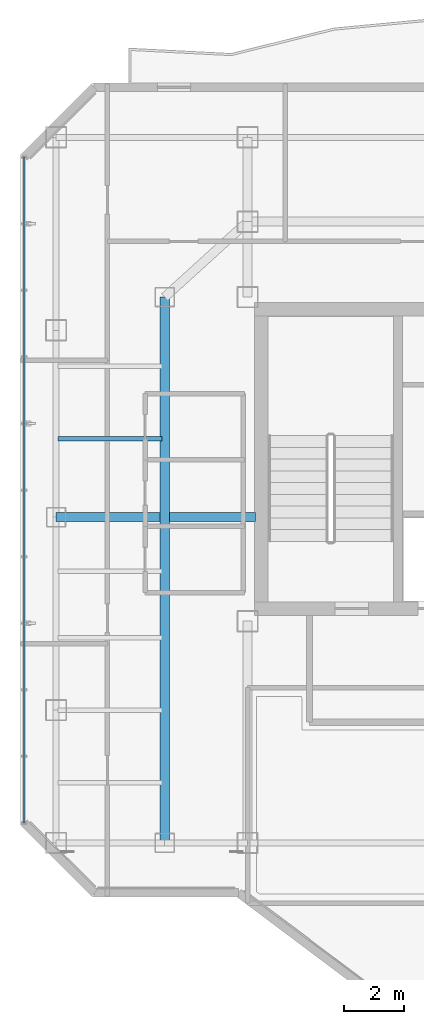
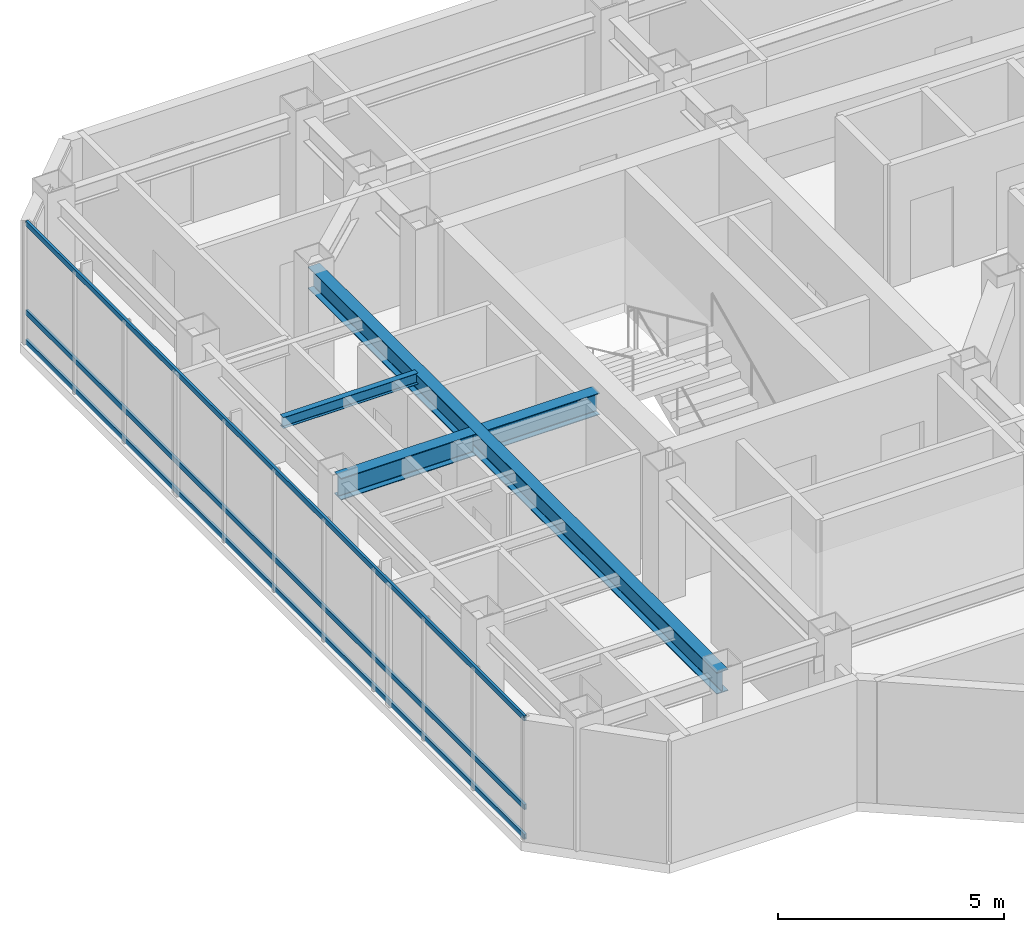
# One storey, part 7 of 25: 4 beams, 3 members, 1 element without a shape of its own.
"""IFC4 building model written with IfcOpenShell, lengths in metres."""

import ifcopenshell
import ifcopenshell.guid

model = None  # the IFC model being written
_history = None  # IfcOwnerHistory: only IFC2X3 demands one
_inside = {}  # id of a spatial element -> (the spatial element, [elements in it])
_under = {}  # id of a project, library or spatial element -> (it, [spatial elements below it])
_declared = {}  # id of a project -> (the project, [libraries it declares])
_typed = {}  # id of a type object -> (the type object, [elements of that type])
_made_of = {}  # id of a material, layer set ... -> (it, [elements and type objects made of it])


def new_model(schema):
    """Start an empty IFC model of exactly this schema.

    Asked for "IFC4X3", IfcOpenShell would pick the latest addendum, in which some entities
    have other attributes; the version numbers below select the first issue.
    IFC2X3 requires an IfcOwnerHistory on every rooted entity: one is made here for all.
    """
    global model, _history
    if schema == "IFC4X3":
        model = ifcopenshell.file(schema_version=(4, 3, 0, 0))
    else:
        model = ifcopenshell.file(schema=schema)
    _inside.clear()
    _under.clear()
    _declared.clear()
    _typed.clear()
    _made_of.clear()
    _history = None
    if model.schema == "IFC2X3":
        org = make("IfcOrganization", Name="unknown")
        user = make(
            "IfcPersonAndOrganization",
            ThePerson=make("IfcPerson", FamilyName="unknown"),
            TheOrganization=org,
        )
        app = make(
            "IfcApplication",
            ApplicationDeveloper=org,
            Version="unknown",
            ApplicationFullName="unknown",
            ApplicationIdentifier="unknown",
        )
        _history = make(
            "IfcOwnerHistory",
            OwningUser=user,
            OwningApplication=app,
            ChangeAction="ADDED",
            CreationDate=0,
        )
    return model


def make(cls, **values):
    """One entity of the class cls with the attributes given. An attribute that is None is left unset."""
    return model.create_entity(
        cls, **{name: value for name, value in values.items() if value is not None}
    )


def rooted(cls, **values):
    """An entity with a GlobalId (a new one), such as an element, a storey or a relation."""
    return make(cls, GlobalId=ifcopenshell.guid.new(), OwnerHistory=_history, **values)


def si_unit(unit_type, name, prefix=None):
    """IfcSIUnit, for example si_unit("LENGTHUNIT", "METRE", prefix="MILLI")."""
    return make("IfcSIUnit", UnitType=unit_type, Prefix=prefix, Name=name)


def assignment(units):
    """IfcUnitAssignment: the units of a project."""
    return None if units is None else make("IfcUnitAssignment", Units=units)


def point(xyz):
    """IfcCartesianPoint."""
    return None if xyz is None else make("IfcCartesianPoint", Coordinates=xyz)


def direction(xyz):
    """IfcDirection."""
    return None if xyz is None else make("IfcDirection", DirectionRatios=xyz)


def frame(location, z_axis=None, x_axis=None):
    """IfcAxis2Placement3D, a coordinate frame: its origin and axes. An axis left out is left unset."""
    return make(
        "IfcAxis2Placement3D",
        Location=point(location),
        Axis=direction(z_axis),
        RefDirection=direction(x_axis),
    )


def frame_2d(location, x_axis=None):
    """IfcAxis2Placement2D, a coordinate frame in the plane: its origin and x axis."""
    return make(
        "IfcAxis2Placement2D", Location=point(location), RefDirection=direction(x_axis)
    )


def origin():
    """The frame at (0, 0, 0) with its axes left unset."""
    return frame((0.0, 0.0, 0.0))


def origin_2d():
    """The frame at (0, 0) in the plane with its x axis left unset."""
    return frame_2d((0.0, 0.0))


def place(relative_to, where):
    """IfcLocalPlacement: puts the frame where relative to a parent placement (None: the world)."""
    return make(
        "IfcLocalPlacement", PlacementRelTo=relative_to, RelativePlacement=where
    )


def context(
    kind, dimensions, precision=None, world=None, true_north=None, identifier=None
):
    """IfcGeometricRepresentationContext, for example the 3D "Model" context."""
    return make(
        "IfcGeometricRepresentationContext",
        ContextIdentifier=identifier,
        ContextType=kind,
        CoordinateSpaceDimension=dimensions,
        Precision=precision,
        WorldCoordinateSystem=world,
        TrueNorth=true_north,
    )


def subcontext(parent, identifier, kind, view, scale=None):
    """IfcGeometricRepresentationSubContext, for example "Body" below "Model"."""
    return make(
        "IfcGeometricRepresentationSubContext",
        ContextIdentifier=identifier,
        ContextType=kind,
        ParentContext=parent,
        TargetScale=scale,
        TargetView=view,
    )


def project(units=None, contexts=None):
    """IfcProject with its units and contexts."""
    return rooted(
        "IfcProject",
        Name="project",
        RepresentationContexts=contexts,
        UnitsInContext=assignment(units),
    )


def spatial(cls, under=None, at=None, **own):
    """A site, building, storey or space (cls), placed at a placement, below another one or the project."""
    s = rooted(cls, ObjectPlacement=at, **own)
    if under is not None:
        _under.setdefault(under.id(), (under, []))[1].append(s)
    return s


def profile(cls, at=None, kind="AREA", **sizes):
    """A parametric profile (cls). Its sizes go by their IFC names, for example OverallWidth=200.0."""
    return make(cls, ProfileType=kind, Position=at, **sizes)


def hollow_rectangle(**sizes):
    """IfcRectangleHollowProfileDef."""
    return profile("IfcRectangleHollowProfileDef", **sizes)


def i_section(**sizes):
    """IfcIShapeProfileDef."""
    return profile("IfcIShapeProfileDef", **sizes)


def extrude(swept, where, along, depth):
    """IfcExtrudedAreaSolid: the profile swept, set in the frame where, extruded along a direction by depth."""
    return make(
        "IfcExtrudedAreaSolid",
        SweptArea=swept,
        Position=where,
        ExtrudedDirection=direction(along),
        Depth=depth,
    )


def shape(context_of_items, identifier, shape_type, items):
    """IfcShapeRepresentation: the items that make up one representation, for example the "Body"."""
    return make(
        "IfcShapeRepresentation",
        ContextOfItems=context_of_items,
        RepresentationIdentifier=identifier,
        RepresentationType=shape_type,
        Items=items,
    )


def material(Name=None, Category=None):
    """IfcMaterial."""
    return make("IfcMaterial", Name=Name, Category=Category)


def layer(
    of_material, thickness, ventilated=None, Name=None, Category=None, Priority=None
):
    """IfcMaterialLayer: one layer of a wall or slab, of a material (None: an air gap)."""
    return make(
        "IfcMaterialLayer",
        Material=of_material,
        LayerThickness=thickness,
        IsVentilated=ventilated,
        Name=Name,
        Category=Category,
        Priority=Priority,
    )


def layer_set(layers, Name=None):
    """IfcMaterialLayerSet."""
    return make("IfcMaterialLayerSet", MaterialLayers=layers, LayerSetName=Name)


def material_profile(
    of_material, cross_section, Name=None, Category=None, Priority=None
):
    """IfcMaterialProfile: a cross section and its material."""
    return make(
        "IfcMaterialProfile",
        Name=Name,
        Material=of_material,
        Profile=cross_section,
        Priority=Priority,
        Category=Category,
    )


def profile_set(profiles, Name=None, composite=None):
    """IfcMaterialProfileSet."""
    return make(
        "IfcMaterialProfileSet",
        Name=Name,
        MaterialProfiles=profiles,
        CompositeProfile=composite,
    )


def made_of(thing, what):
    """Note that an element or type object is made of a material, layer set ...; save() writes the relation."""
    if what is not None:
        _made_of.setdefault(what.id(), (what, []))[1].append(thing)
    return thing


def type_object(cls, material=None, **own):
    """A type object (cls), such as IfcWallType, which elements share."""
    return made_of(rooted(cls, **own), material)


def element(
    cls,
    number,
    at=None,
    inside=None,
    cuts=None,
    type_object=None,
    material=None,
    context=None,
    identifier="Body",
    shape_type=None,
    held_by="IfcProductDefinitionShape",
    body=None,
    shapes=None,
    **own,
):
    """One element of the class cls, such as IfcWall. Its Tag is "e" and its number.

    at: its placement. inside: the storey or other place that contains it. cuts: it is an
    opening in that element (IfcRelVoidsElement). A single representation is given by context,
    identifier, shape_type and body (its items); several are given by shapes. held_by: the class
    of the entity that holds the representations. save() writes the other relations.
    """
    e = rooted(cls, Tag="e%d" % number, ObjectPlacement=at, **own)
    if body is not None:
        shapes = [shape(context, identifier, shape_type, body)]
    if shapes is not None:
        e.Representation = make(held_by, Representations=shapes)
    if inside is not None:
        _inside.setdefault(inside.id(), (inside, []))[1].append(e)
    if cuts is not None:
        rooted(
            "IfcRelVoidsElement", RelatingBuildingElement=cuts, RelatedOpeningElement=e
        )
    if type_object is not None:
        _typed.setdefault(type_object.id(), (type_object, []))[1].append(e)
    return made_of(e, material)


def aggregate(whole, parts):
    """IfcRelAggregates: a whole, such as a stair, and the parts it consists of."""
    return rooted("IfcRelAggregates", RelatingObject=whole, RelatedObjects=parts)


def save(model, path):
    """Write the relations noted so far, then the file.

    IfcRelAggregates (storeys below a building ...), IfcRelContainedInSpatialStructure (elements
    in a storey), IfcRelDefinesByType, IfcRelAssociatesMaterial and IfcRelDeclares: one each for
    every whole, place, type object, material and project.
    """
    for whole, parts in _under.values():
        aggregate(whole, parts)
    for where, things in _inside.values():
        rooted(
            "IfcRelContainedInSpatialStructure",
            RelatedElements=things,
            RelatingStructure=where,
        )
    for kind, things in _typed.values():
        rooted("IfcRelDefinesByType", RelatedObjects=things, RelatingType=kind)
    for what, things in _made_of.values():
        rooted("IfcRelAssociatesMaterial", RelatedObjects=things, RelatingMaterial=what)
    for by, libraries in _declared.values():
        rooted("IfcRelDeclares", RelatingContext=by, RelatedDefinitions=libraries)
    model.write(path)


model = new_model("IFC4")

# Units and contexts
model_context = context("Model", 3, precision=1e-05, world=origin(), true_north=direction((0.0, 1.0)))
body_context = subcontext(model_context, "Body", "Model", "MODEL_VIEW")
ifc_project = project(units=[si_unit("LENGTHUNIT", "METRE"), si_unit("AREAUNIT", "SQUARE_METRE"), si_unit("VOLUMEUNIT", "CUBIC_METRE"), si_unit("PLANEANGLEUNIT", "RADIAN"), si_unit("MASSUNIT", "GRAM", prefix="KILO")], contexts=[model_context])

# Site, building, storey
site_placement = place(None, origin())
site = spatial("IfcSite", under=ifc_project, at=site_placement, CompositionType="ELEMENT")
building_placement = place(site_placement, origin())
building = spatial("IfcBuilding", under=site, at=building_placement, Name="Hatsunagi Terrace Concourse", CompositionType="ELEMENT")
storey_placement = place(building_placement, frame((0.0, 0.0, 231.14990234375)))
storey = spatial("IfcBuildingStorey", under=building, at=storey_placement, Name="L61", CompositionType="ELEMENT", Elevation=231.14990234375)

# Curtain wall, members
ifc_material_1 = material(Name="Anodised Aluminium Alloy 6063-T5", Category="aluminium")
ifc_layer = layer(ifc_material_1, 0.199951171875)
ifc_layer_set = layer_set([ifc_layer], Name="OfficeZone2_CW04")
curtain_wall_type = type_object("IfcCurtainWallType", Name="OfficeZone2_CW04", PredefinedType="NOTDEFINED", material=ifc_layer_set)
curtain_wall_placement = place(storey_placement, origin())
curtain_wall = element("IfcCurtainWall", 1, at=curtain_wall_placement, inside=storey, type_object=curtain_wall_type, Name="Unitised Curtain Wall CW-04 CW-L61-08", PredefinedType="NOTDEFINED")
ifc_material_2 = material(Name="Anodised Aluminium Alloy 6063-T5", Category="aluminium")
ifc_material_profile_1 = material_profile(ifc_material_2, hollow_rectangle(XDim=0.06494140625, YDim=0.139892578125, WallThickness=0.00390625, at=origin_2d()), Name="ALU-TRN-140x65x4")
ifc_profile_set_1 = profile_set([ifc_material_profile_1], Name="Anodised Aluminium Alloy 6063-T5")
member_type = type_object("IfcMemberType", Name="CurtainWallTransom_140x65", PredefinedType="USERDEFINED", material=ifc_profile_set_1)
member_1_placement = place(storey_placement, frame((18.139892578125, 25.85791015625, 0.050048828125), z_axis=(0.0, 1.0, 0.0), x_axis=(-1.0, 0.0, 0.0)))
member_1 = element("IfcMember", 2, at=member_1_placement, type_object=member_type, Name="Curtain Wall Transom TRN-02", ObjectType="TRANSOM", PredefinedType="USERDEFINED", context=body_context, shape_type="SweptSolid", body=[
    extrude(hollow_rectangle(XDim=0.06494140625, YDim=0.139892578125, WallThickness=0.00390625, at=origin_2d()), origin(), (0.0, 0.0, 1.0), 22.083984375),
])
member_2_placement = place(storey_placement, frame((18.139892578125, 25.85791015625, 0.85009765625), z_axis=(0.0, 1.0, 0.0), x_axis=(-1.0, 0.0, 0.0)))
member_2 = element("IfcMember", 3, at=member_2_placement, type_object=member_type, Name="Curtain Wall Transom TRN-02", ObjectType="TRANSOM", PredefinedType="USERDEFINED", context=body_context, shape_type="SweptSolid", body=[
    extrude(hollow_rectangle(XDim=0.06494140625, YDim=0.139892578125, WallThickness=0.00390625, at=origin_2d()), origin(), (0.0, 0.0, 1.0), 22.083984375),
])
member_3_placement = place(storey_placement, frame((18.139892578125, 25.85791015625, 3.25), z_axis=(0.0, 1.0, 0.0), x_axis=(-1.0, 0.0, 0.0)))
member_3 = element("IfcMember", 4, at=member_3_placement, type_object=member_type, Name="Curtain Wall Transom TRN-02", ObjectType="TRANSOM", PredefinedType="USERDEFINED", context=body_context, shape_type="SweptSolid", body=[
    extrude(hollow_rectangle(XDim=0.06494140625, YDim=0.139892578125, WallThickness=0.00390625, at=origin_2d()), origin(), (0.0, 0.0, 1.0), 22.083984375),
])
aggregate(curtain_wall, [member_1, member_2, member_3])

# Beams
ifc_material_3 = material(Name="Steel SN490B", Category="steel")
ifc_material_profile_2 = material_profile(ifc_material_3, i_section(OverallWidth=0.300048828125, OverallDepth=0.587890625, WebThickness=0.011962890625, FlangeThickness=0.02001953125, FilletRadius=0.01806640625, at=origin_2d()), Name="H-588x300x12x20")
ifc_profile_set_2 = profile_set([ifc_material_profile_2], Name="Steel SN490B")
beam_type_1 = type_object("IfcBeamType", Name="OfficeHighGirder_H_588x300", PredefinedType="BEAM", material=ifc_profile_set_2)
beam_1_placement = place(storey_placement, frame((22.800048828125, 25.199951171875, 3.006103515625), z_axis=(0.0, 1.0, 0.0), x_axis=(-1.0, 0.0, 0.0)))
element("IfcBeam", 5, at=beam_1_placement, inside=storey, type_object=beam_type_1, Name="Beam G-06 BM-L61-CWNS", PredefinedType="BEAM", context=body_context, shape_type="SweptSolid", body=[
    extrude(i_section(OverallWidth=0.300048828125, OverallDepth=0.587890625, WebThickness=0.011962890625, FlangeThickness=0.02001953125, FilletRadius=0.01806640625, at=origin_2d()), origin(), (0.0, 0.0, 1.0), 18.10009765625),
])
beam_2_placement = place(storey_placement, frame((19.199951171875, 36.0, 3.006103515625), z_axis=(1.0, 0.0, 0.0), x_axis=(0.0, 1.0, 0.0)))
element("IfcBeam", 6, at=beam_2_placement, inside=storey, type_object=beam_type_1, Name="Beam G-06 BM-L61-EW-3", PredefinedType="BEAM", context=body_context, shape_type="SweptSolid", body=[
    extrude(i_section(OverallWidth=0.300048828125, OverallDepth=0.587890625, WebThickness=0.011962890625, FlangeThickness=0.02001953125, FilletRadius=0.01806640625, at=origin_2d()), origin(), (0.0, 0.0, 1.0), 3.449951171875),
])
beam_3_placement = place(storey_placement, frame((22.949951171875, 36.0, 3.006103515625), z_axis=(1.0, 0.0, 0.0), x_axis=(0.0, 1.0, 0.0)))
element("IfcBeam", 7, at=beam_3_placement, inside=storey, type_object=beam_type_1, Name="Beam G-06 BM-L61-EW-4", PredefinedType="BEAM", context=body_context, shape_type="SweptSolid", body=[
    extrude(i_section(OverallWidth=0.300048828125, OverallDepth=0.587890625, WebThickness=0.011962890625, FlangeThickness=0.02001953125, FilletRadius=0.01806640625, at=origin_2d()), origin(), (0.0, 0.0, 1.0), 2.860107421875),
])
ifc_material_4 = material(Name="Steel SN490B", Category="steel")
ifc_material_profile_3 = material_profile(ifc_material_4, i_section(OverallWidth=0.14990234375, OverallDepth=0.300048828125, WebThickness=0.006591796875, FlangeThickness=0.009033203125, FilletRadius=0.010986328125, at=origin_2d()), Name="H-300x150x6.5x9")
ifc_profile_set_3 = profile_set([ifc_material_profile_3], Name="Steel SN490B")
beam_type_2 = type_object("IfcBeamType", Name="OfficeJoist_H_300x150", PredefinedType="JOIST", material=ifc_profile_set_3)
beam_4_placement = place(storey_placement, frame((19.264892578125, 38.60009765625, 3.150146484375), z_axis=(1.0, 0.0, 0.0), x_axis=(0.0, 1.0, 0.0)))
element("IfcBeam", 8, at=beam_4_placement, inside=storey, type_object=beam_type_2, Name="Beam J-03 J-L61-W-19-386", PredefinedType="JOIST", context=body_context, shape_type="SweptSolid", body=[
    extrude(i_section(OverallWidth=0.14990234375, OverallDepth=0.300048828125, WebThickness=0.006591796875, FlangeThickness=0.009033203125, FilletRadius=0.010986328125, at=origin_2d()), origin(), (0.0, 0.0, 1.0), 3.4501953125),
])

save(model, "model.ifc")
